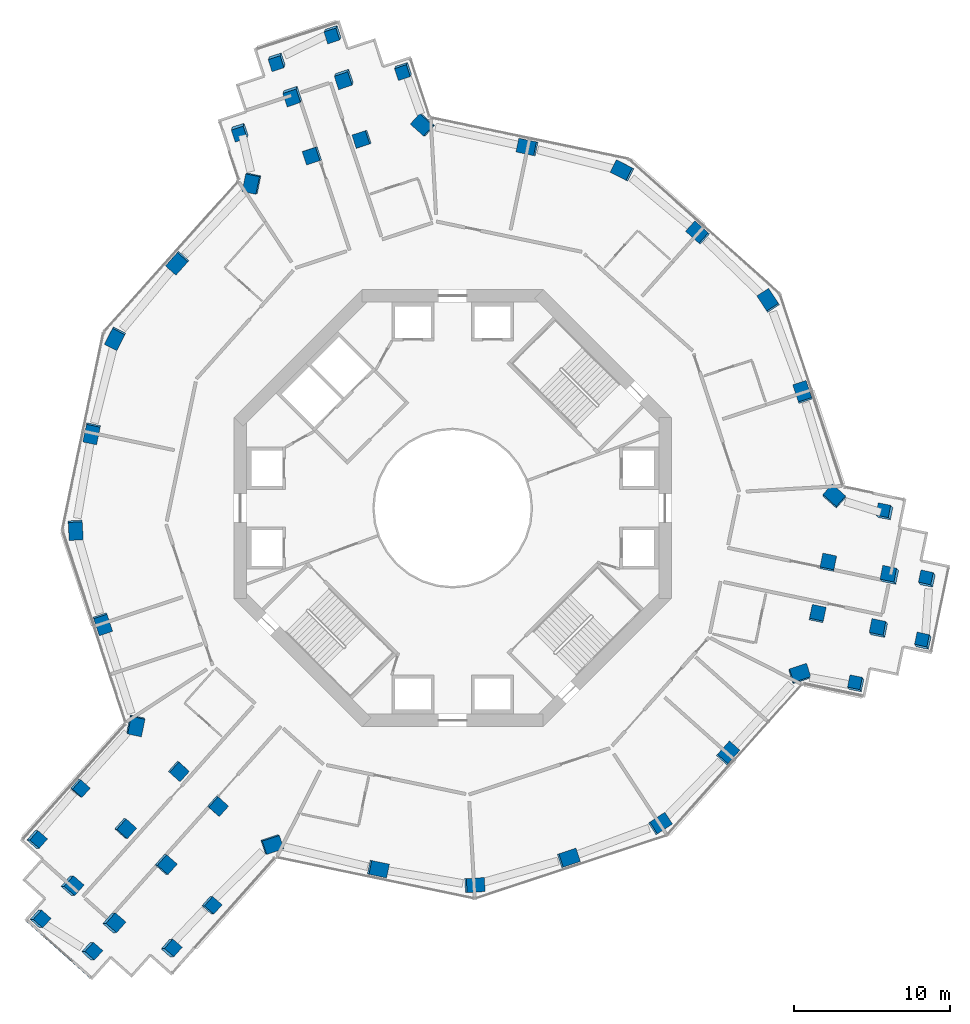
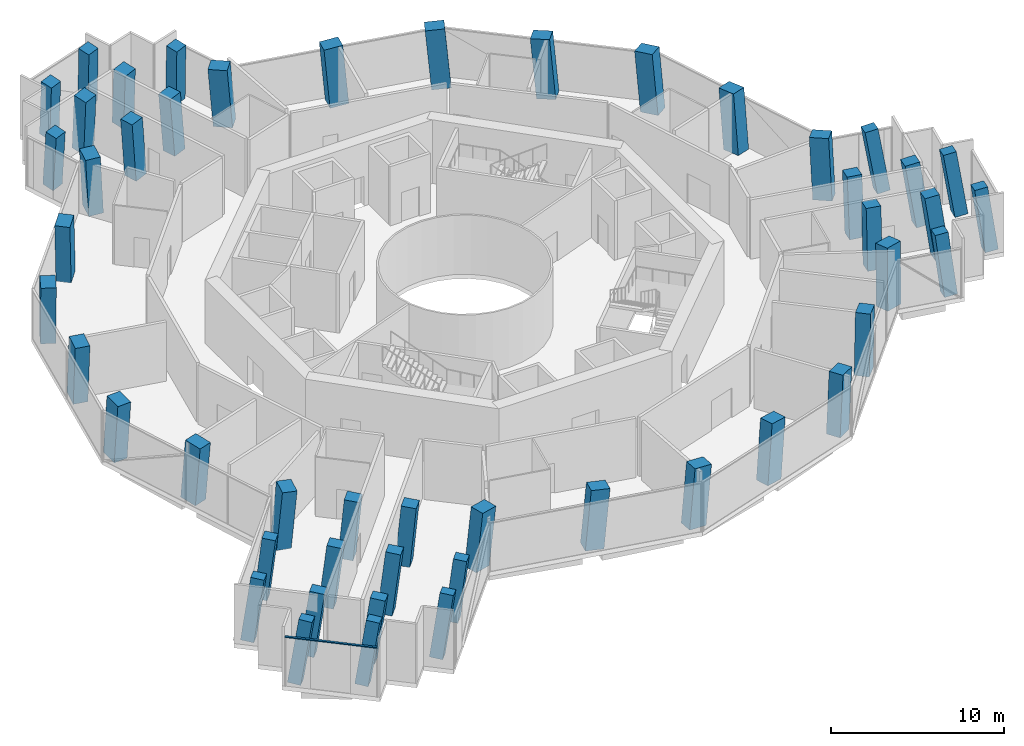
# One storey, part 1 of 21: 49 columns, 1 member, 1 element without a shape of its own.
"""IFC4 building model written with IfcOpenShell, lengths in metres."""

from ifc_helpers import new_model, si_unit, direction, frame, origin, origin_2d, place, context, subcontext, project, spatial, rectangle, extrude, material, layer, layer_set, material_profile, profile_set, type_object, element, aggregate, save


model = new_model("IFC4")

# Units and contexts
model_context = context("Model", 3, precision=1e-05, world=origin(), true_north=direction((0.0, 1.0)))
body_context = subcontext(model_context, "Body", "Model", "MODEL_VIEW")
ifc_project = project(units=[si_unit("LENGTHUNIT", "METRE"), si_unit("AREAUNIT", "SQUARE_METRE"), si_unit("VOLUMEUNIT", "CUBIC_METRE"), si_unit("PLANEANGLEUNIT", "RADIAN"), si_unit("MASSUNIT", "GRAM", prefix="KILO")], contexts=[model_context])

# Site, building, storey
site_placement = place(None, origin())
site = spatial("IfcSite", under=ifc_project, at=site_placement, CompositionType="ELEMENT")
building_placement = place(site_placement, origin())
building = spatial("IfcBuilding", under=site, at=building_placement, Name="Verdalira Terraces Hotel", CompositionType="ELEMENT")
storey_placement = place(building_placement, frame((0.0, 0.0, 107.0)))
storey = spatial("IfcBuildingStorey", under=building, at=storey_placement, Name="L25", CompositionType="ELEMENT", Elevation=107.0)

# Columns
ifc_material_1 = material(Name="Concrete C80", Category="concrete")
ifc_material_profile_1 = material_profile(ifc_material_1, rectangle(XDim=1.149902, YDim=0.899902, at=origin_2d()), Name="RC 1150X900")
ifc_profile_set_1 = profile_set([ifc_material_profile_1], Name="Concrete C80")
column_type_1 = type_object("IfcColumnType", Name="Column RC 1150X900 C80", PredefinedType="COLUMN", material=ifc_profile_set_1)
column_1_placement = place(storey_placement, frame((-12.839111, 20.812012, 0.0), z_axis=(-0.076771245, -0.048279423, 0.995879146), x_axis=(0.199145695, 0.977958003, 0.062762546)))
element("IfcColumn", 1, at=column_1_placement, inside=storey, type_object=column_type_1, Name="Column C03", PredefinedType="COLUMN", context=body_context, shape_type="SweptSolid", body=[
    extrude(rectangle(XDim=1.149902, YDim=0.899902, at=origin_2d()), origin(), (0.0, 0.0, 1.0), 4.207275),
])
column_2_placement = place(storey_placement, frame((-17.610352, 15.723389, 0.0), z_axis=(-0.057812061, -0.065822166, 0.996155213), x_axis=(-0.663669485, -0.742878568, -0.087602791)))
element("IfcColumn", 2, at=column_2_placement, inside=storey, type_object=column_type_1, Name="Column C04", PredefinedType="COLUMN", context=body_context, shape_type="SweptSolid", body=[
    extrude(rectangle(XDim=1.149902, YDim=0.899902, at=origin_2d()), origin(), (0.0, 0.0, 1.0), 4.206055),
])
column_3_placement = place(storey_placement, frame((-21.601562, 10.892822, 0.0), z_axis=(-0.039752787, -0.080434106, 0.995966902), x_axis=(0.448806667, 0.889113725, 0.089718226)))
element("IfcColumn", 3, at=column_3_placement, inside=storey, type_object=column_type_1, Name="Column C05", PredefinedType="COLUMN", context=body_context, shape_type="SweptSolid", body=[
    extrude(rectangle(XDim=1.149902, YDim=0.899902, at=origin_2d()), origin(), (0.0, 0.0, 1.0), 4.206787),
])
column_4_placement = place(storey_placement, frame((-23.112793, 4.811768, 0.0), z_axis=(-0.017123066, -0.085905551, 0.996156131), x_axis=(-0.20296904, -0.975259529, -0.087592353)))
element("IfcColumn", 4, at=column_4_placement, inside=storey, type_object=column_type_1, Name="Column C06", PredefinedType="COLUMN", context=body_context, shape_type="SweptSolid", body=[
    extrude(rectangle(XDim=1.149902, YDim=0.899902, at=origin_2d()), origin(), (0.0, 0.0, 1.0), 4.206055),
])
column_5_placement = place(storey_placement, frame((-24.154053, -1.367188, 0.0), z_axis=(0.005861352, -0.089545204, 0.995965512), x_axis=(-0.056658618, 0.994352891, 0.089733658)))
element("IfcColumn", 5, at=column_5_placement, inside=storey, type_object=column_type_1, Name="Column C07", PredefinedType="COLUMN", context=body_context, shape_type="SweptSolid", body=[
    extrude(rectangle(XDim=1.149902, YDim=0.899902, at=origin_2d()), origin(), (0.0, 0.0, 1.0), 4.207031),
])
column_6_placement = place(storey_placement, frame((-22.422119, -7.389404, 0.0), z_axis=(0.02809349, -0.08294545, 0.996158024), x_axis=(0.311587523, -0.946173645, -0.087570825)))
element("IfcColumn", 6, at=column_6_placement, inside=storey, type_object=column_type_1, Name="Column C08", PredefinedType="COLUMN", context=body_context, shape_type="SweptSolid", body=[
    extrude(rectangle(XDim=1.149902, YDim=0.899902, at=origin_2d()), origin(), (0.0, 0.0, 1.0), 4.206055),
])
column_7_placement = place(storey_placement, frame((-20.32666, -13.907471, 0.0), z_axis=(0.052164469, -0.074910267, 0.995824944), x_axis=(0.207629407, 0.97620516, 0.062558095)))
element("IfcColumn", 7, at=column_7_placement, inside=storey, type_object=column_type_1, Name="Column C09", PredefinedType="COLUMN", context=body_context, shape_type="SweptSolid", body=[
    extrude(rectangle(XDim=1.149902, YDim=0.899902, at=origin_2d()), origin(), (0.0, 0.0, 1.0), 4.20752),
])
column_8_placement = place(storey_placement, frame((-11.604004, -21.525146, 0.0), z_axis=(0.080137214, -0.042360729, 0.995883324), x_axis=(-0.946654036, -0.31608699, 0.062730784)))
element("IfcColumn", 8, at=column_8_placement, inside=storey, type_object=column_type_1, Name="Column C16", PredefinedType="COLUMN", context=body_context, shape_type="SweptSolid", body=[
    extrude(rectangle(XDim=1.149902, YDim=0.899902, at=origin_2d()), origin(), (0.0, 0.0, 1.0), 4.207275),
])
column_9_placement = place(storey_placement, frame((-4.811768, -23.112793, 0.0), z_axis=(0.085905551, -0.017123066, 0.996156131), x_axis=(0.975259529, -0.20296904, -0.087592353)))
element("IfcColumn", 9, at=column_9_placement, inside=storey, type_object=column_type_1, Name="Column C17", PredefinedType="COLUMN", context=body_context, shape_type="SweptSolid", body=[
    extrude(rectangle(XDim=1.149902, YDim=0.899902, at=origin_2d()), origin(), (0.0, 0.0, 1.0), 4.206055),
])
column_10_placement = place(storey_placement, frame((1.367188, -24.154053, 0.0), z_axis=(0.089545204, 0.005861352, 0.995965512), x_axis=(-0.994352891, -0.056658618, 0.089733658)))
element("IfcColumn", 10, at=column_10_placement, inside=storey, type_object=column_type_1, Name="Column C18", PredefinedType="COLUMN", context=body_context, shape_type="SweptSolid", body=[
    extrude(rectangle(XDim=1.149902, YDim=0.899902, at=origin_2d()), origin(), (0.0, 0.0, 1.0), 4.207031),
])
column_11_placement = place(storey_placement, frame((7.389404, -22.422119, 0.0), z_axis=(0.08294545, 0.02809349, 0.996158024), x_axis=(0.946173645, 0.311587523, -0.087570825)))
element("IfcColumn", 11, at=column_11_placement, inside=storey, type_object=column_type_1, Name="Column C19", PredefinedType="COLUMN", context=body_context, shape_type="SweptSolid", body=[
    extrude(rectangle(XDim=1.149902, YDim=0.899902, at=origin_2d()), origin(), (0.0, 0.0, 1.0), 4.206055),
])
column_12_placement = place(storey_placement, frame((13.260986, -20.234375, 0.0), z_axis=(0.074688522, 0.049792348, 0.995963025), x_axis=(-0.833327402, -0.545443267, 0.089761257)))
element("IfcColumn", 12, at=column_12_placement, inside=storey, type_object=column_type_1, Name="Column C20", PredefinedType="COLUMN", context=body_context, shape_type="SweptSolid", body=[
    extrude(rectangle(XDim=1.149902, YDim=0.899902, at=origin_2d()), origin(), (0.0, 0.0, 1.0), 4.207031),
])
column_13_placement = place(storey_placement, frame((17.610352, -15.723389, 0.0), z_axis=(0.057812061, 0.065822166, 0.996155213), x_axis=(0.663669485, 0.742878568, -0.087602791)))
element("IfcColumn", 13, at=column_13_placement, inside=storey, type_object=column_type_1, Name="Column C21", PredefinedType="COLUMN", context=body_context, shape_type="SweptSolid", body=[
    extrude(rectangle(XDim=1.149902, YDim=0.899902, at=origin_2d()), origin(), (0.0, 0.0, 1.0), 4.206055),
])
column_14_placement = place(storey_placement, frame((22.20752, -10.649658, 0.0), z_axis=(0.038760753, 0.082627714, 0.995826423), x_axis=(-0.9491427, -0.308570905, 0.062547039)))
element("IfcColumn", 14, at=column_14_placement, inside=storey, type_object=column_type_1, Name="Column C22", PredefinedType="COLUMN", context=body_context, shape_type="SweptSolid", body=[
    extrude(rectangle(XDim=1.149902, YDim=0.899902, at=origin_2d()), origin(), (0.0, 0.0, 1.0), 4.20752),
])
column_15_placement = place(storey_placement, frame((24.443359, 0.713135, 0.0), z_axis=(-0.003423675, 0.090582304, 0.995883088), x_axis=(0.74736173, -0.661449217, 0.062732582)))
element("IfcColumn", 15, at=column_15_placement, inside=storey, type_object=column_type_1, Name="Column C27", PredefinedType="COLUMN", context=body_context, shape_type="SweptSolid", body=[
    extrude(rectangle(XDim=1.149902, YDim=0.899902, at=origin_2d()), origin(), (0.0, 0.0, 1.0), 4.207275),
])
column_16_placement = place(storey_placement, frame((22.422119, 7.389404, 0.0), z_axis=(-0.02809349, 0.08294545, 0.996158024), x_axis=(-0.311587523, 0.946173645, -0.087570825)))
element("IfcColumn", 16, at=column_16_placement, inside=storey, type_object=column_type_1, Name="Column C28", PredefinedType="COLUMN", context=body_context, shape_type="SweptSolid", body=[
    extrude(rectangle(XDim=1.149902, YDim=0.899902, at=origin_2d()), origin(), (0.0, 0.0, 1.0), 4.206055),
])
column_17_placement = place(storey_placement, frame((20.234375, 13.260986, 0.0), z_axis=(-0.049792348, 0.074688522, 0.995963025), x_axis=(0.545443267, -0.833327402, 0.089761257)))
element("IfcColumn", 17, at=column_17_placement, inside=storey, type_object=column_type_1, Name="Column C29", PredefinedType="COLUMN", context=body_context, shape_type="SweptSolid", body=[
    extrude(rectangle(XDim=1.149902, YDim=0.899902, at=origin_2d()), origin(), (0.0, 0.0, 1.0), 4.207031),
])
column_18_placement = place(storey_placement, frame((15.723389, 17.610352, 0.0), z_axis=(-0.065822166, 0.057812061, 0.996155213), x_axis=(-0.742878568, 0.663669485, -0.087602791)))
element("IfcColumn", 18, at=column_18_placement, inside=storey, type_object=column_type_1, Name="Column C30", PredefinedType="COLUMN", context=body_context, shape_type="SweptSolid", body=[
    extrude(rectangle(XDim=1.149902, YDim=0.899902, at=origin_2d()), origin(), (0.0, 0.0, 1.0), 4.206055),
])
column_19_placement = place(storey_placement, frame((10.892822, 21.601562, 0.0), z_axis=(-0.080434106, 0.039752787, 0.995966902), x_axis=(0.889113725, -0.448806667, 0.089718226)))
element("IfcColumn", 19, at=column_19_placement, inside=storey, type_object=column_type_1, Name="Column C31", PredefinedType="COLUMN", context=body_context, shape_type="SweptSolid", body=[
    extrude(rectangle(XDim=1.149902, YDim=0.899902, at=origin_2d()), origin(), (0.0, 0.0, 1.0), 4.206787),
])
column_20_placement = place(storey_placement, frame((4.811768, 23.112793, 0.0), z_axis=(-0.085905551, 0.017123066, 0.996156131), x_axis=(-0.975259529, 0.20296904, -0.087592353)))
element("IfcColumn", 20, at=column_20_placement, inside=storey, type_object=column_type_1, Name="Column C32", PredefinedType="COLUMN", context=body_context, shape_type="SweptSolid", body=[
    extrude(rectangle(XDim=1.149902, YDim=0.899902, at=origin_2d()), origin(), (0.0, 0.0, 1.0), 4.206055),
])
column_21_placement = place(storey_placement, frame((-1.880859, 24.557129, 0.0), z_axis=(-0.090982971, -0.007717306, 0.995822546), x_axis=(0.74156153, -0.667960132, 0.062576027)))
element("IfcColumn", 21, at=column_21_placement, inside=storey, type_object=column_type_1, Name="Column C33", PredefinedType="COLUMN", context=body_context, shape_type="SweptSolid", body=[
    extrude(rectangle(XDim=1.149902, YDim=0.899902, at=origin_2d()), origin(), (0.0, 0.0, 1.0), 4.20752),
])
ifc_material_2 = material(Name="Concrete C80", Category="concrete")
ifc_material_profile_2 = material_profile(ifc_material_2, rectangle(XDim=0.800049, YDim=0.800049, at=origin_2d()), Name="RC 800X800")
ifc_profile_set_2 = profile_set([ifc_material_profile_2], Name="Concrete C80")
column_type_2 = type_object("IfcColumnType", Name="Column RC 800X800 C80", PredefinedType="COLUMN", material=ifc_profile_set_2)
column_22_placement = place(storey_placement, frame((-3.146973, 28.047852, 0.0), z_axis=(-0.062623497, -0.129225835, 0.989635782), x_axis=(-0.320960914, 0.941515133, 0.102632086)))
element("IfcColumn", 22, at=column_22_placement, inside=storey, type_object=column_type_2, Name="Column C01", PredefinedType="COLUMN", context=body_context, shape_type="SweptSolid", body=[
    extrude(rectangle(XDim=0.800049, YDim=0.800049, at=origin_2d()), origin(), (0.0, 0.0, 1.0), 4.233887),
])
column_23_placement = place(storey_placement, frame((-13.614746, 24.155762, 0.0), z_axis=(-0.047686124, -0.166872741, 0.984824615), x_axis=(0.32323838, -0.935472245, -0.142858769)))
element("IfcColumn", 23, at=column_23_placement, inside=storey, type_object=column_type_2, Name="Column C02", PredefinedType="COLUMN", context=body_context, shape_type="SweptSolid", body=[
    extrude(rectangle(XDim=0.800049, YDim=0.800049, at=origin_2d()), origin(), (0.0, 0.0, 1.0), 4.254395),
])
column_24_placement = place(storey_placement, frame((-23.912598, -17.923584, 0.0), z_axis=(0.107600556, -0.040921782, 0.993351664), x_axis=(-0.662155654, -0.748249313, 0.040900542)))
element("IfcColumn", 24, at=column_24_placement, inside=storey, type_object=column_type_2, Name="Column C10", PredefinedType="COLUMN", context=body_context, shape_type="SweptSolid", body=[
    extrude(rectangle(XDim=0.800049, YDim=0.800049, at=origin_2d()), origin(), (0.0, 0.0, 1.0), 4.218018),
])
column_25_placement = place(storey_placement, frame((-26.712646, -21.224854, 0.0), z_axis=(0.159451669, -0.004199124, 0.987196805), x_axis=(-0.653205929, -0.750235816, 0.102314393)))
element("IfcColumn", 25, at=column_25_placement, inside=storey, type_object=column_type_2, Name="Column C11", PredefinedType="COLUMN", context=body_context, shape_type="SweptSolid", body=[
    extrude(rectangle(XDim=0.800049, YDim=0.800049, at=origin_2d()), origin(), (0.0, 0.0, 1.0), 4.244385),
])
column_26_placement = place(storey_placement, frame((-26.509521, -26.312744, 0.0), z_axis=(0.177531951, -0.003268515, 0.984109609), x_axis=(0.728614845, -0.671753053, -0.133672153)))
element("IfcColumn", 26, at=column_26_placement, inside=storey, type_object=column_type_2, Name="Column C12", PredefinedType="COLUMN", context=body_context, shape_type="SweptSolid", body=[
    extrude(rectangle(XDim=0.800049, YDim=0.800049, at=origin_2d()), origin(), (0.0, 0.0, 1.0), 4.257568),
])
column_27_placement = place(storey_placement, frame((-23.204834, -28.39209, 0.0), z_axis=(0.184841238, 0.008932848, 0.982727796), x_axis=(0.728007535, -0.672973111, -0.130813688)))
element("IfcColumn", 27, at=column_27_placement, inside=storey, type_object=column_type_2, Name="Column C13", PredefinedType="COLUMN", context=body_context, shape_type="SweptSolid", body=[
    extrude(rectangle(XDim=0.800049, YDim=0.800049, at=origin_2d()), origin(), (0.0, 0.0, 1.0), 4.263672),
])
column_28_placement = place(storey_placement, frame((-18.116211, -28.203125, 0.0), z_axis=(0.183949016, 0.027537964, 0.982549958), x_axis=(0.646261923, 0.749786739, -0.142004835)))
element("IfcColumn", 28, at=column_28_placement, inside=storey, type_object=column_type_2, Name="Column C14", PredefinedType="COLUMN", context=body_context, shape_type="SweptSolid", body=[
    extrude(rectangle(XDim=0.800049, YDim=0.800049, at=origin_2d()), origin(), (0.0, 0.0, 1.0), 4.264404),
])
column_29_placement = place(storey_placement, frame((-15.498291, -25.436279, 0.0), z_axis=(0.134751526, -0.009526136, 0.990833628), x_axis=(0.657080646, 0.749329815, -0.082157488)))
element("IfcColumn", 29, at=column_29_placement, inside=storey, type_object=column_type_2, Name="Column C15", PredefinedType="COLUMN", context=body_context, shape_type="SweptSolid", body=[
    extrude(rectangle(XDim=0.800049, YDim=0.800049, at=origin_2d()), origin(), (0.0, 0.0, 1.0), 4.22876),
])
column_30_placement = place(storey_placement, frame((25.863525, -11.298584, 0.0), z_axis=(-0.080614691, 0.118846122, 0.989634716), x_axis=(0.975871395, -0.192718959, 0.102637337)))
element("IfcColumn", 30, at=column_30_placement, inside=storey, type_object=column_type_2, Name="Column C23", PredefinedType="COLUMN", context=body_context, shape_type="SweptSolid", body=[
    extrude(rectangle(XDim=0.800049, YDim=0.800049, at=origin_2d()), origin(), (0.0, 0.0, 1.0), 4.233887),
])
column_31_placement = place(storey_placement, frame((30.168213, -8.578613, 0.0), z_axis=(-0.090504729, 0.134204599, 0.986812049), x_axis=(0.215441513, 0.970053428, -0.1121664)))
element("IfcColumn", 31, at=column_31_placement, inside=storey, type_object=column_type_2, Name="Column C24", PredefinedType="COLUMN", context=body_context, shape_type="SweptSolid", body=[
    extrude(rectangle(XDim=0.800049, YDim=0.800049, at=origin_2d()), origin(), (0.0, 0.0, 1.0), 4.24585),
])
column_32_placement = place(storey_placement, frame((30.434814, -4.599609, 0.0), z_axis=(-0.105004488, 0.134858142, 0.98528541), x_axis=(0.216647456, 0.970068408, -0.109686662)))
element("IfcColumn", 32, at=column_32_placement, inside=storey, type_object=column_type_2, Name="Column C25", PredefinedType="COLUMN", context=body_context, shape_type="SweptSolid", body=[
    extrude(rectangle(XDim=0.800049, YDim=0.800049, at=origin_2d()), origin(), (0.0, 0.0, 1.0), 4.252441),
])
column_33_placement = place(storey_placement, frame((27.727051, -0.287109, 0.0), z_axis=(-0.120679096, 0.124695994, 0.984828647), x_axis=(-0.971797399, 0.187634135, -0.142839932)))
element("IfcColumn", 33, at=column_33_placement, inside=storey, type_object=column_type_2, Name="Column C26", PredefinedType="COLUMN", context=body_context, shape_type="SweptSolid", body=[
    extrude(rectangle(XDim=0.800049, YDim=0.800049, at=origin_2d()), origin(), (0.0, 0.0, 1.0), 4.254395),
])
column_34_placement = place(storey_placement, frame((-7.654785, 30.416016, 0.0), z_axis=(-0.070954356, -0.145531178, 0.986806037), x_axis=(-0.947740215, -0.298666179, -0.112191791)))
element("IfcColumn", 34, at=column_34_placement, inside=storey, type_object=column_type_2, Name="Column C34", PredefinedType="COLUMN", context=body_context, shape_type="SweptSolid", body=[
    extrude(rectangle(XDim=0.800049, YDim=0.800049, at=origin_2d()), origin(), (0.0, 0.0, 1.0), 4.24585),
])
column_35_placement = place(storey_placement, frame((-11.234131, 28.656982, 0.0), z_axis=(-0.064300983, -0.158283759, 0.985297739), x_axis=(-0.94850457, -0.297183315, -0.109641039)))
element("IfcColumn", 35, at=column_35_placement, inside=storey, type_object=column_type_2, Name="Column C35", PredefinedType="COLUMN", context=body_context, shape_type="SweptSolid", body=[
    extrude(rectangle(XDim=0.800049, YDim=0.800049, at=origin_2d()), origin(), (0.0, 0.0, 1.0), 4.252441),
])
ifc_material_3 = material(Name="Concrete C80", Category="concrete")
ifc_material_profile_3 = material_profile(ifc_material_3, rectangle(XDim=0.899902, YDim=0.899902, at=origin_2d()), Name="RC 900X900")
ifc_profile_set_3 = profile_set([ifc_material_profile_3], Name="Concrete C80")
column_type_3 = type_object("IfcColumnType", Name="Column RC 900X900 C80", PredefinedType="COLUMN", material=ifc_profile_set_3)
for number, where, z_axis, x_axis, name in (
    (36, (-5.782227, 23.63623, 0.0), (-0.087452192, -0.022167709, 0.995922039), (-0.312411689, 0.949925989, -0.006289051), "Column C36"),
    (37, (-8.969971, 22.585693, 0.0), (-0.083448882, -0.03400629, 0.995931652), (-0.314024139, 0.949395368, 0.006105289), "Column C37"),
):
    element("IfcColumn", number, at=place(storey_placement, frame(where, z_axis=z_axis, x_axis=x_axis)), inside=storey, type_object=column_type_3, Name=name, PredefinedType="COLUMN", context=body_context, shape_type="SweptSolid", body=[
        extrude(rectangle(XDim=0.899902, YDim=0.899902, at=origin_2d()), origin(), (0.0, 0.0, 1.0), 4.207031),
    ])
column_36_placement = place(storey_placement, frame((-6.940186, 27.54541, 0.0), z_axis=(-0.060497876, -0.14292695, 0.98788253), x_axis=(-0.322339859, 0.939467256, 0.116182147)))
element("IfcColumn", 38, at=column_36_placement, inside=storey, type_object=column_type_3, Name="Column C38", PredefinedType="COLUMN", context=body_context, shape_type="SweptSolid", body=[
    extrude(rectangle(XDim=0.899902, YDim=0.899902, at=origin_2d()), origin(), (0.0, 0.0, 1.0), 4.241455),
])
column_37_placement = place(storey_placement, frame((-10.245605, 26.456055, 0.0), z_axis=(-0.056265267, -0.154830061, 0.986337605), x_axis=(-0.323302592, 0.937500031, 0.128721119)))
element("IfcColumn", 39, at=column_37_placement, inside=storey, type_object=column_type_3, Name="Column C39", PredefinedType="COLUMN", context=body_context, shape_type="SweptSolid", body=[
    extrude(rectangle(XDim=0.899902, YDim=0.899902, at=origin_2d()), origin(), (0.0, 0.0, 1.0), 4.248047),
])
for number, where, z_axis, x_axis, name in (
    (40, (-17.578369, -16.825684, 0.0), (0.062905324, -0.064646246, 0.995923583), (-0.666531141, -0.745450669, -0.006287862), "Column C40"),
    (41, (-15.074707, -19.061035, 0.0), (0.07114626, -0.05530374, 0.995931577), (-0.665582038, -0.746299722, 0.006105346), "Column C41"),
):
    element("IfcColumn", number, at=place(storey_placement, frame(where, z_axis=z_axis, x_axis=x_axis)), inside=storey, type_object=column_type_3, Name=name, PredefinedType="COLUMN", context=body_context, shape_type="SweptSolid", body=[
        extrude(rectangle(XDim=0.899902, YDim=0.899902, at=origin_2d()), origin(), (0.0, 0.0, 1.0), 4.207031),
    ])
column_38_placement = place(storey_placement, frame((-21.01709, -20.508545, 0.0), z_axis=(0.116955979, -0.030135542, 0.992679781), x_axis=(-0.660759529, -0.748570712, 0.055124719)))
element("IfcColumn", 42, at=column_38_placement, inside=storey, type_object=column_type_3, Name="Column C42", PredefinedType="COLUMN", context=body_context, shape_type="SweptSolid", body=[
    extrude(rectangle(XDim=0.899902, YDim=0.899902, at=origin_2d()), origin(), (0.0, 0.0, 1.0), 4.220947),
])
column_39_placement = place(storey_placement, frame((-18.429688, -22.818604, 0.0), z_axis=(0.125303312, -0.020460043, 0.991907489), x_axis=(-0.659068655, -0.749019818, 0.067807239)))
element("IfcColumn", 43, at=column_39_placement, inside=storey, type_object=column_type_3, Name="Column C43", PredefinedType="COLUMN", context=body_context, shape_type="SweptSolid", body=[
    extrude(rectangle(XDim=0.899902, YDim=0.899902, at=origin_2d()), origin(), (0.0, 0.0, 1.0), 4.224121),
])
column_40_placement = place(storey_placement, frame((-24.455811, -24.19165, 0.0), z_axis=(0.169907306, 0.004249118, 0.985450888), x_axis=(-0.650495444, -0.750693168, 0.115392572)))
element("IfcColumn", 44, at=column_40_placement, inside=storey, type_object=column_type_3, Name="Column C44", PredefinedType="COLUMN", context=body_context, shape_type="SweptSolid", body=[
    extrude(rectangle(XDim=0.899902, YDim=0.899902, at=origin_2d()), origin(), (0.0, 0.0, 1.0), 4.251709),
])
column_41_placement = place(storey_placement, frame((-21.784912, -26.576416, 0.0), z_axis=(0.178348145, 0.014045418, 0.983867199), x_axis=(-0.648474766, -0.750352719, 0.128262523)))
element("IfcColumn", 45, at=column_41_placement, inside=storey, type_object=column_type_3, Name="Column C45", PredefinedType="COLUMN", context=body_context, shape_type="SweptSolid", body=[
    extrude(rectangle(XDim=0.899902, YDim=0.899902, at=origin_2d()), origin(), (0.0, 0.0, 1.0), 4.258545),
])
for number, where, z_axis, x_axis, name in (
    (46, (23.360596, -6.810547, 0.0), (0.024546967, 0.086813859, 0.995922086), (0.978821571, -0.204618621, -0.006289015), "Column C46"),
    (47, (24.044678, -3.524658, 0.0), (0.012302571, 0.0893097, 0.995927921), (0.979160765, -0.202994799, 0.006108083), "Column C47"),
):
    element("IfcColumn", number, at=place(storey_placement, frame(where, z_axis=z_axis, x_axis=x_axis)), inside=storey, type_object=column_type_3, Name=name, PredefinedType="COLUMN", context=body_context, shape_type="SweptSolid", body=[
        extrude(rectangle(XDim=0.899902, YDim=0.899902, at=origin_2d()), origin(), (0.0, 0.0, 1.0), 4.207031),
    ])
column_42_placement = place(storey_placement, frame((27.324951, -7.762207, 0.0), z_axis=(-0.093538962, 0.123816804, 0.987886563), x_axis=(0.974812715, -0.190384728, 0.11616293)))
element("IfcColumn", 48, at=column_42_placement, inside=storey, type_object=column_type_3, Name="Column C48", PredefinedType="COLUMN", context=body_context, shape_type="SweptSolid", body=[
    extrude(rectangle(XDim=0.899902, YDim=0.899902, at=origin_2d()), origin(), (0.0, 0.0, 1.0), 4.241211),
])
column_43_placement = place(storey_placement, frame((28.03418, -4.355225, 0.0), z_axis=(-0.105863883, 0.126209059, 0.986338741), x_axis=(0.973422006, -0.189425022, 0.128715807)))
element("IfcColumn", 49, at=column_43_placement, inside=storey, type_object=column_type_3, Name="Column C49", PredefinedType="COLUMN", context=body_context, shape_type="SweptSolid", body=[
    extrude(rectangle(XDim=0.899902, YDim=0.899902, at=origin_2d()), origin(), (0.0, 0.0, 1.0), 4.248047),
])

# Curtain wall, member
ifc_material_4 = material(Name="Clear glass", Category="glass")
ifc_layer = layer(ifc_material_4, 0.179931640625)
ifc_layer_set = layer_set([ifc_layer], Name="CW4 curtain wall")
curtain_wall_type = type_object("IfcCurtainWallType", Name="CW4 curtain wall", PredefinedType="NOTDEFINED", material=ifc_layer_set)
curtain_wall_placement = place(storey_placement, origin())
curtain_wall = element("IfcCurtainWall", 50, at=curtain_wall_placement, inside=storey, type_object=curtain_wall_type, Name="CW4 curtain wall L25 edge 19", PredefinedType="NOTDEFINED")
ifc_material_5 = material(Name="Terracotta frame", Category="masonry")
ifc_material_profile_4 = material_profile(ifc_material_5, rectangle(XDim=0.139893, YDim=0.070068, at=origin_2d()), Name="TR 70x140")
ifc_profile_set_4 = profile_set([ifc_material_profile_4], Name="Terracotta frame")
member_type = type_object("IfcMemberType", Name="CW4 transom 70x140", PredefinedType="USERDEFINED", material=ifc_profile_set_4)
member_placement = place(storey_placement, frame((-27.275635, -26.419922, 3.455078), z_axis=(0.7459479, -0.666004302, 0.0), x_axis=(0.666004302, 0.7459479, 0.0)))
member = element("IfcMember", 51, at=member_placement, type_object=member_type, Name="CW4 transom", ObjectType="TRANSOM", PredefinedType="USERDEFINED", context=body_context, shape_type="SweptSolid", body=[
    extrude(rectangle(XDim=0.139893, YDim=0.070068, at=origin_2d()), origin(), (0.0, 0.0, 1.0), 5.5),
])
aggregate(curtain_wall, [member])

save(model, "model.ifc")
